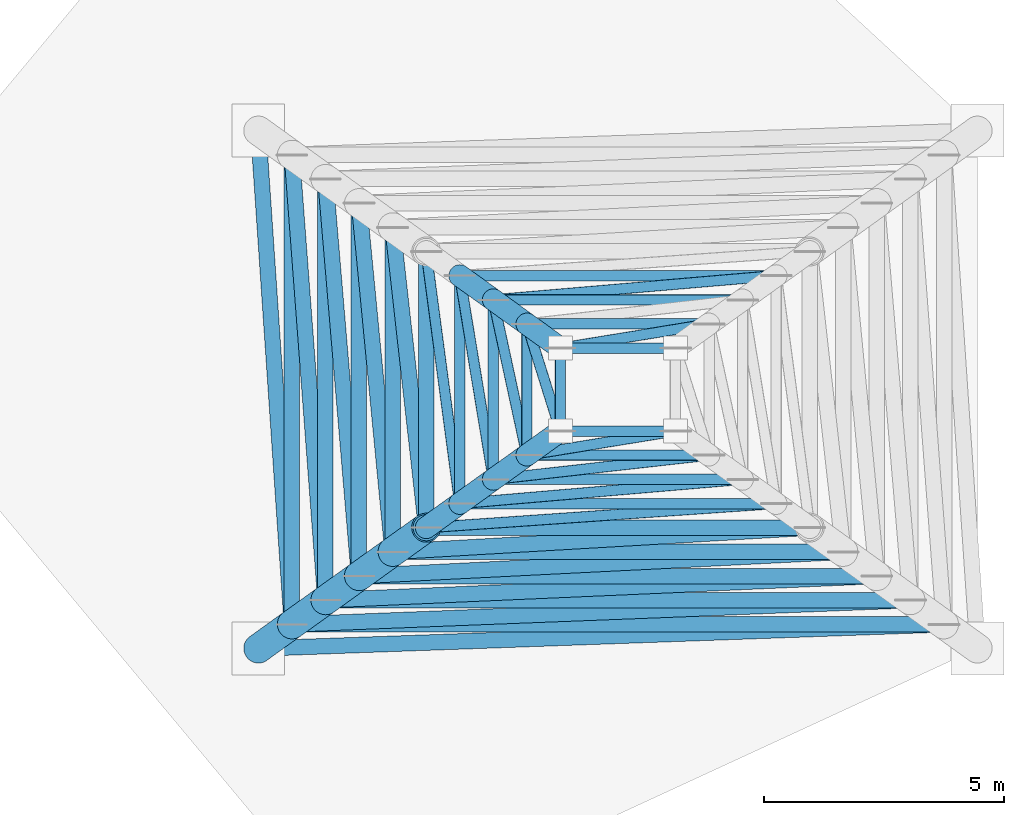
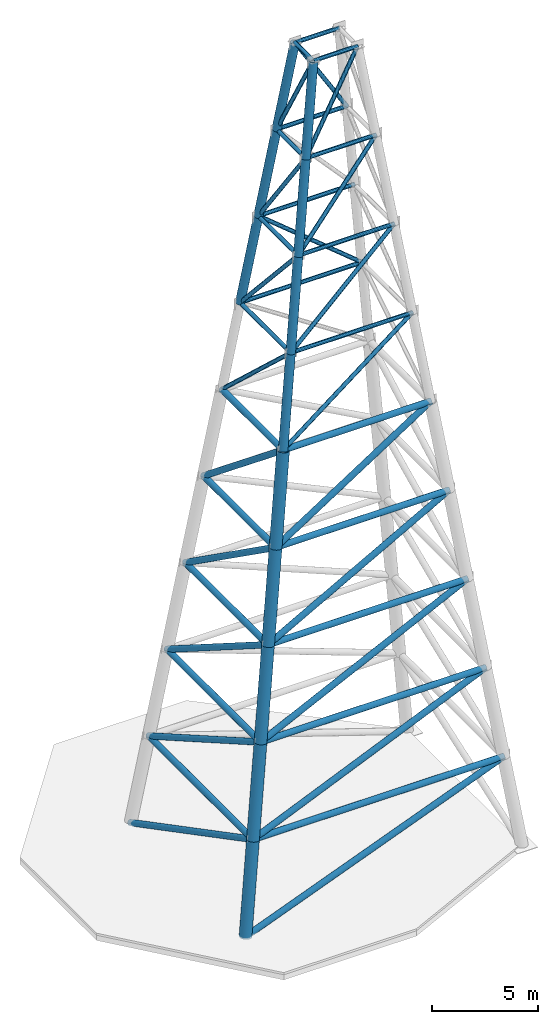
# One storey, part 1 of 3: 54 members.
"""IFC4 building model written with IfcOpenShell, lengths in metres."""

from ifc_helpers import new_model, si_unit, derived_unit, direction, frame, origin, origin_2d, place, context, subcontext, project, spatial, hollow_circle, extrude, source, transform, mapped, material, material_profile, profile_set, type_object, type_shapes, element, save


model = new_model("IFC4")

# Units and contexts
model_context = context("Model", 3, precision=1e-05, world=origin(), true_north=direction((0.0, 1.0)))
body_context = subcontext(model_context, "Body", "Model", "MODEL_VIEW")
ifc_project = project(units=[si_unit("LENGTHUNIT", "METRE"), si_unit("AREAUNIT", "SQUARE_METRE"), si_unit("VOLUMEUNIT", "CUBIC_METRE"), si_unit("PLANEANGLEUNIT", "RADIAN"), si_unit("MASSUNIT", "GRAM", prefix="KILO"), si_unit("THERMODYNAMICTEMPERATUREUNIT", "KELVIN"), si_unit("POWERUNIT", "WATT"), derived_unit("THERMALTRANSMITTANCEUNIT", [(si_unit("POWERUNIT", "WATT"), 1), (si_unit("AREAUNIT", "SQUARE_METRE"), -1), (si_unit("THERMODYNAMICTEMPERATUREUNIT", "KELVIN"), -1)])], contexts=[model_context])

# Site, building, storey
site_placement = place(None, origin())
site = spatial("IfcSite", under=ifc_project, at=site_placement, CompositionType="ELEMENT")
building_placement = place(site_placement, origin())
building = spatial("IfcBuilding", under=site, at=building_placement, Name="Zahravan Archway Hotel and Residences", CompositionType="ELEMENT")
storey_placement = place(building_placement, frame((0.0, 0.0, 308.699951171875)))
storey = spatial("IfcBuildingStorey", under=building, at=storey_placement, Name="RF", CompositionType="ELEMENT", Elevation=308.699951171875)

# Members
ifc_material_1 = material(Name="Structural Steel S460M", Category="steel")
ifc_material_profile_1 = material_profile(ifc_material_1, hollow_circle(Radius=0.304931640625, WallThickness=0.030029296875, at=origin_2d()), Name="CHS 610x30", Category="steel")
ifc_profile_set_1 = profile_set([ifc_material_profile_1], Name="Structural Steel S460M")
member_type_1 = type_object("IfcMemberType", Name="MEM-MAST-LEG610", PredefinedType="CHORD", material=ifc_profile_set_1)
shared_shape_1 = source(origin(), body_context, "Body", "SweptSolid", [
    extrude(hollow_circle(Radius=0.304931640625, WallThickness=0.030029296875, at=origin_2d()), origin(), (0.0, 0.0, 1.0), 5.106689453125),
])
type_shapes(member_type_1, [shared_shape_1])
for number, where, z_axis, x_axis, name in (
    (1, (34.800048828125, 3.60009765625, 0.0), (0.137062477103, 0.09867350985, 0.985635539043), (-0.584259982328, 0.811566554911, 0.0), "MAST Corner Leg Tier 1-1"),
    (2, (36.89990234375, 5.112060546875, 15.10009765625), (0.137115846307, 0.098677512823, 0.985627715293), (-0.584125782237, 0.811663150899, 0.0), "MAST Corner Leg Tier 4-1"),
):
    element("IfcMember", number, at=place(storey_placement, frame(where, z_axis=z_axis, x_axis=x_axis)), inside=storey, type_object=member_type_1, Name=name, PredefinedType="CHORD", context=body_context, shape_type="MappedRepresentation", body=[
        mapped(shared_shape_1, transform((0.0, 0.0, 0.0), scale=1.0)),
    ])
ifc_material_profile_2 = material_profile(ifc_material_1, hollow_circle(Radius=0.161865234375, WallThickness=0.01611328125, at=origin_2d()), Name="CHS 323.9x16", Category="steel")
ifc_profile_set_2 = profile_set([ifc_material_profile_2], Name="Structural Steel S460M")
member_type_2 = type_object("IfcMemberType", Name="MEM-MAST-BRC323", PredefinedType="BRACE", material=ifc_profile_set_2)
shared_shape_2 = source(origin(), body_context, "Body", "SweptSolid", [
    extrude(hollow_circle(Radius=0.161865234375, WallThickness=0.01611328125, at=origin_2d()), origin(), (0.0, 0.0, 1.0), 13.60009765625),
])
type_shapes(member_type_2, [shared_shape_2])
member_1_placement = place(storey_placement, frame((35.5, 4.10400390625, 5.033447265625), z_axis=(1.0, 0.0, 0.0), x_axis=(0.0, 1.0, 0.0)))
element("IfcMember", 3, at=member_1_placement, inside=storey, type_object=member_type_2, Name="MAST Horizontal Girt Tier 1-1", PredefinedType="BRACE", context=body_context, shape_type="MappedRepresentation", body=[
    mapped(shared_shape_2, transform((0.0, 0.0, 0.0), scale=1.0)),
])
shared_shape_3 = source(origin(), body_context, "Body", "SweptSolid", [
    extrude(hollow_circle(Radius=0.161865234375, WallThickness=0.01611328125, at=origin_2d()), origin(), (0.0, 0.0, 1.0), 15.16845703125),
])
member_2_placement = place(storey_placement, frame((34.800048828125, 3.60009765625, 0.0), z_axis=(0.942751490667, 0.033220751485, 0.331837322368), x_axis=(-0.035216221379, 0.9993797165, 0.0)))
element("IfcMember", 4, at=member_2_placement, inside=storey, type_object=member_type_2, Name="MAST Lattice Diagonal Tier 1-1", PredefinedType="BRACE", context=body_context, shape_type="MappedRepresentation", body=[
    mapped(shared_shape_3, transform((0.0, 0.0, 0.0), scale=1.0)),
])
shared_shape_4 = source(origin(), body_context, "Body", "SweptSolid", [
    extrude(hollow_circle(Radius=0.161865234375, WallThickness=0.01611328125, at=origin_2d()), origin(), (0.0, 0.0, 1.0), 9.7919921875),
])
member_3_placement = place(storey_placement, frame((35.5, 13.89599609375, 5.033447265625), z_axis=(0.0, -1.0, 0.0), x_axis=(1.0, 0.0, 0.0)))
element("IfcMember", 5, at=member_3_placement, inside=storey, type_object=member_type_2, Name="MAST Horizontal Girt Tier 1-4", PredefinedType="BRACE", context=body_context, shape_type="MappedRepresentation", body=[
    mapped(shared_shape_4, transform((0.0, 0.0, 0.0), scale=1.0)),
])
shared_shape_5 = source(origin(), body_context, "Body", "SweptSolid", [
    extrude(hollow_circle(Radius=0.161865234375, WallThickness=0.01611328125, at=origin_2d()), origin(), (0.0, 0.0, 1.0), 11.481689453125),
])
member_4_placement = place(storey_placement, frame((34.800048828125, 14.39990234375, 0.0), z_axis=(0.060961956018, -0.896716989602, 0.438385994846), x_axis=(0.997697101633, 0.067826937076, 0.0)))
element("IfcMember", 6, at=member_4_placement, inside=storey, type_object=member_type_2, Name="MAST Lattice Diagonal Tier 1-4", PredefinedType="BRACE", context=body_context, shape_type="MappedRepresentation", body=[
    mapped(shared_shape_5, transform((0.0, 0.0, 0.0), scale=1.0)),
])
shared_shape_6 = source(origin(), body_context, "Body", "SweptSolid", [
    extrude(hollow_circle(Radius=0.304931640625, WallThickness=0.030029296875, at=origin_2d()), origin(), (0.0, 0.0, 1.0), 5.1064453125),
])
member_5_placement = place(storey_placement, frame((35.5, 4.10400390625, 5.033447265625), z_axis=(0.137068935816, 0.098678159583, 0.985634175369), x_axis=(-0.584259982328, 0.811566554911, 0.0)))
element("IfcMember", 7, at=member_5_placement, inside=storey, type_object=member_type_1, Name="MAST Corner Leg Tier 2-1", PredefinedType="CHORD", context=body_context, shape_type="MappedRepresentation", body=[
    mapped(shared_shape_6, transform((0.0, 0.0, 0.0), scale=1.0)),
])
shared_shape_7 = source(origin(), body_context, "Body", "SweptSolid", [
    extrude(hollow_circle(Radius=0.161865234375, WallThickness=0.01611328125, at=origin_2d()), origin(), (0.0, 0.0, 1.0), 12.199951171875),
])
member_6_placement = place(storey_placement, frame((36.199951171875, 4.60791015625, 10.066650390625), z_axis=(1.0, 0.0, 0.0), x_axis=(0.0, 1.0, 0.0)))
element("IfcMember", 8, at=member_6_placement, inside=storey, type_object=member_type_2, Name="MAST Horizontal Girt Tier 2-1", PredefinedType="BRACE", context=body_context, shape_type="MappedRepresentation", body=[
    mapped(shared_shape_7, transform((0.0, 0.0, 0.0), scale=1.0)),
])
shared_shape_8 = source(origin(), body_context, "Body", "SweptSolid", [
    extrude(hollow_circle(Radius=0.161865234375, WallThickness=0.01611328125, at=origin_2d()), origin(), (0.0, 0.0, 1.0), 13.856201171875),
])
member_7_placement = place(storey_placement, frame((35.5, 4.10400390625, 5.033447265625), z_axis=(0.930983509314, 0.036366818639, 0.363245316401), x_axis=(-0.03903302678, 0.999237921028, 0.0)))
element("IfcMember", 9, at=member_7_placement, inside=storey, type_object=member_type_2, Name="MAST Lattice Diagonal Tier 2-1", PredefinedType="BRACE", context=body_context, shape_type="MappedRepresentation", body=[
    mapped(shared_shape_8, transform((0.0, 0.0, 0.0), scale=1.0)),
])
shared_shape_9 = source(origin(), body_context, "Body", "SweptSolid", [
    extrude(hollow_circle(Radius=0.161865234375, WallThickness=0.01611328125, at=origin_2d()), origin(), (0.0, 0.0, 1.0), 8.7841796875),
])
member_8_placement = place(storey_placement, frame((36.199951171875, 13.39208984375, 10.066650390625), z_axis=(0.0, -1.0, 0.0), x_axis=(1.0, 0.0, 0.0)))
element("IfcMember", 10, at=member_8_placement, inside=storey, type_object=member_type_2, Name="MAST Horizontal Girt Tier 2-4", PredefinedType="BRACE", context=body_context, shape_type="MappedRepresentation", body=[
    mapped(shared_shape_9, transform((0.0, 0.0, 0.0), scale=1.0)),
])
shared_shape_10 = source(origin(), body_context, "Body", "SweptSolid", [
    extrude(hollow_circle(Radius=0.161865234375, WallThickness=0.01611328125, at=origin_2d()), origin(), (0.0, 0.0, 1.0), 10.58740234375),
])
member_9_placement = place(storey_placement, frame((35.5, 13.89599609375, 5.033447265625), z_axis=(0.066112137648, -0.877282931518, 0.475398615187), x_axis=(0.997172464765, 0.075147025983, 0.0)))
element("IfcMember", 11, at=member_9_placement, inside=storey, type_object=member_type_2, Name="MAST Lattice Diagonal Tier 2-4", PredefinedType="BRACE", context=body_context, shape_type="MappedRepresentation", body=[
    mapped(shared_shape_10, transform((0.0, 0.0, 0.0), scale=1.0)),
])
shared_shape_11 = source(origin(), body_context, "Body", "SweptSolid", [
    extrude(hollow_circle(Radius=0.304931640625, WallThickness=0.030029296875, at=origin_2d()), origin(), (0.0, 0.0, 1.0), 5.10693359375),
])
for number, where, z_axis, x_axis, name in (
    (12, (36.199951171875, 4.60791015625, 10.066650390625), (0.137061830389, 0.098720850978, 0.985630888433), (-0.584446378501, 0.811432332766, 0.0), "MAST Corner Leg Tier 3-1"),
    (13, (37.60009765625, 5.615966796875, 20.13330078125), (0.137061830389, 0.098720850978, 0.985630888433), (-0.584446378501, 0.811432332766, 0.0), "MAST Corner Leg Tier 5-1"),
):
    element("IfcMember", number, at=place(storey_placement, frame(where, z_axis=z_axis, x_axis=x_axis)), inside=storey, type_object=member_type_1, Name=name, PredefinedType="CHORD", context=body_context, shape_type="MappedRepresentation", body=[
        mapped(shared_shape_11, transform((0.0, 0.0, 0.0), scale=1.0)),
    ])
shared_shape_12 = source(origin(), body_context, "Body", "SweptSolid", [
    extrude(hollow_circle(Radius=0.161865234375, WallThickness=0.01611328125, at=origin_2d()), origin(), (0.0, 0.0, 1.0), 10.800048828125),
])
member_10_placement = place(storey_placement, frame((36.89990234375, 5.112060546875, 15.10009765625), z_axis=(1.0, 0.0, 0.0), x_axis=(0.0, 1.0, 0.0)))
element("IfcMember", 14, at=member_10_placement, inside=storey, type_object=member_type_2, Name="MAST Horizontal Girt Tier 3-1", PredefinedType="BRACE", context=body_context, shape_type="MappedRepresentation", body=[
    mapped(shared_shape_12, transform((0.0, 0.0, 0.0), scale=1.0)),
])
shared_shape_13 = source(origin(), body_context, "Body", "SweptSolid", [
    extrude(hollow_circle(Radius=0.161865234375, WallThickness=0.01611328125, at=origin_2d()), origin(), (0.0, 0.0, 1.0), 12.5634765625),
])
member_11_placement = place(storey_placement, frame((36.199951171875, 4.60791015625, 10.066650390625), z_axis=(0.915355163645, 0.040128405505, 0.400642777872), x_axis=(-0.043797098388, 0.999040446715, 0.0)))
element("IfcMember", 15, at=member_11_placement, inside=storey, type_object=member_type_2, Name="MAST Lattice Diagonal Tier 3-1", PredefinedType="BRACE", context=body_context, shape_type="MappedRepresentation", body=[
    mapped(shared_shape_13, transform((0.0, 0.0, 0.0), scale=1.0)),
])
shared_shape_14 = source(origin(), body_context, "Body", "SweptSolid", [
    extrude(hollow_circle(Radius=0.161865234375, WallThickness=0.01611328125, at=origin_2d()), origin(), (0.0, 0.0, 1.0), 7.77587890625),
])
member_12_placement = place(storey_placement, frame((36.89990234375, 12.887939453125, 15.10009765625), z_axis=(0.0, -1.0, 0.0), x_axis=(1.0, 0.0, 0.0)))
element("IfcMember", 16, at=member_12_placement, inside=storey, type_object=member_type_2, Name="MAST Horizontal Girt Tier 3-4", PredefinedType="BRACE", context=body_context, shape_type="MappedRepresentation", body=[
    mapped(shared_shape_14, transform((0.0, 0.0, 0.0), scale=1.0)),
])
shared_shape_15 = source(origin(), body_context, "Body", "SweptSolid", [
    extrude(hollow_circle(Radius=0.161865234375, WallThickness=0.01611328125, at=origin_2d()), origin(), (0.0, 0.0, 1.0), 9.715087890625),
])
member_13_placement = place(storey_placement, frame((36.199951171875, 13.39208984375, 10.066650390625), z_axis=(0.072047284469, -0.852278916211, 0.518102149949), x_axis=(0.996445965096, 0.084234426712, 0.0)))
element("IfcMember", 17, at=member_13_placement, inside=storey, type_object=member_type_2, Name="MAST Lattice Diagonal Tier 3-4", PredefinedType="BRACE", context=body_context, shape_type="MappedRepresentation", body=[
    mapped(shared_shape_15, transform((0.0, 0.0, 0.0), scale=1.0)),
])
shared_shape_16 = source(origin(), body_context, "Body", "SweptSolid", [
    extrude(hollow_circle(Radius=0.161865234375, WallThickness=0.01611328125, at=origin_2d()), origin(), (0.0, 0.0, 1.0), 9.39990234375),
])
member_14_placement = place(storey_placement, frame((37.60009765625, 5.615966796875, 20.13330078125), z_axis=(1.0, 0.0, 0.0), x_axis=(0.0, 1.0, 0.0)))
element("IfcMember", 18, at=member_14_placement, inside=storey, type_object=member_type_2, Name="MAST Horizontal Girt Tier 4-1", PredefinedType="BRACE", context=body_context, shape_type="MappedRepresentation", body=[
    mapped(shared_shape_16, transform((0.0, 0.0, 0.0), scale=1.0)),
])
shared_shape_17 = source(origin(), body_context, "Body", "SweptSolid", [
    extrude(hollow_circle(Radius=0.161865234375, WallThickness=0.01611328125, at=origin_2d()), origin(), (0.0, 0.0, 1.0), 11.2958984375),
])
member_15_placement = place(storey_placement, frame((36.89990234375, 5.112060546875, 15.10009765625), z_axis=(0.894132518843, 0.044609367147, 0.445574957903), x_axis=(-0.049829248222, 0.99875775142, 0.0)))
element("IfcMember", 19, at=member_15_placement, inside=storey, type_object=member_type_2, Name="MAST Lattice Diagonal Tier 4-1", PredefinedType="BRACE", context=body_context, shape_type="MappedRepresentation", body=[
    mapped(shared_shape_17, transform((0.0, 0.0, 0.0), scale=1.0)),
])
shared_shape_18 = source(origin(), body_context, "Body", "SweptSolid", [
    extrude(hollow_circle(Radius=0.161865234375, WallThickness=0.01611328125, at=origin_2d()), origin(), (0.0, 0.0, 1.0), 6.76806640625),
])
member_16_placement = place(storey_placement, frame((37.60009765625, 12.384033203125, 20.13330078125), z_axis=(0.0, -1.0, 0.0), x_axis=(1.0, 0.0, 0.0)))
element("IfcMember", 20, at=member_16_placement, inside=storey, type_object=member_type_2, Name="MAST Horizontal Girt Tier 4-4", PredefinedType="BRACE", context=body_context, shape_type="MappedRepresentation", body=[
    mapped(shared_shape_18, transform((0.0, 0.0, 0.0), scale=1.0)),
])
shared_shape_19 = source(origin(), body_context, "Body", "SweptSolid", [
    extrude(hollow_circle(Radius=0.161865234375, WallThickness=0.01611328125, at=origin_2d()), origin(), (0.0, 0.0, 1.0), 8.87158203125),
])
member_17_placement = place(storey_placement, frame((36.89990234375, 12.887939453125, 15.10009765625), z_axis=(0.078925629667, -0.819692749397, 0.567339881876), x_axis=(0.995396407481, 0.095843580765, 0.0)))
element("IfcMember", 21, at=member_17_placement, inside=storey, type_object=member_type_2, Name="MAST Lattice Diagonal Tier 4-4", PredefinedType="BRACE", context=body_context, shape_type="MappedRepresentation", body=[
    mapped(shared_shape_19, transform((0.0, 0.0, 0.0), scale=1.0)),
])
shared_shape_20 = source(origin(), body_context, "Body", "SweptSolid", [
    extrude(hollow_circle(Radius=0.161865234375, WallThickness=0.01611328125, at=origin_2d()), origin(), (0.0, 0.0, 1.0), 8.0),
])
member_18_placement = place(storey_placement, frame((38.300048828125, 6.1201171875, 25.166748046875), z_axis=(1.0, 0.0, 0.0), x_axis=(0.0, 1.0, 0.0)))
element("IfcMember", 22, at=member_18_placement, inside=storey, type_object=member_type_2, Name="MAST Horizontal Girt Tier 5-1", PredefinedType="BRACE", context=body_context, shape_type="MappedRepresentation", body=[
    mapped(shared_shape_20, transform((0.0, 0.0, 0.0), scale=1.0)),
])
shared_shape_21 = source(origin(), body_context, "Body", "SweptSolid", [
    extrude(hollow_circle(Radius=0.161865234375, WallThickness=0.01611328125, at=origin_2d()), origin(), (0.0, 0.0, 1.0), 10.063720703125),
])
member_19_placement = place(storey_placement, frame((37.60009765625, 5.615966796875, 20.13330078125), z_axis=(0.864484691624, 0.050095717362, 0.500156612522), x_axis=(-0.057851593259, 0.998325194091, 0.0)))
element("IfcMember", 23, at=member_19_placement, inside=storey, type_object=member_type_2, Name="MAST Lattice Diagonal Tier 5-1", PredefinedType="BRACE", context=body_context, shape_type="MappedRepresentation", body=[
    mapped(shared_shape_21, transform((0.0, 0.0, 0.0), scale=1.0)),
])
shared_shape_22 = source(origin(), body_context, "Body", "SweptSolid", [
    extrude(hollow_circle(Radius=0.161865234375, WallThickness=0.01611328125, at=origin_2d()), origin(), (0.0, 0.0, 1.0), 5.759765625),
])
member_20_placement = place(storey_placement, frame((38.300048828125, 11.8798828125, 25.166748046875), z_axis=(0.0, -1.0, 0.0), x_axis=(1.0, 0.0, 0.0)))
element("IfcMember", 24, at=member_20_placement, inside=storey, type_object=member_type_2, Name="MAST Horizontal Girt Tier 5-4", PredefinedType="BRACE", context=body_context, shape_type="MappedRepresentation", body=[
    mapped(shared_shape_22, transform((0.0, 0.0, 0.0), scale=1.0)),
])
shared_shape_23 = source(origin(), body_context, "Body", "SweptSolid", [
    extrude(hollow_circle(Radius=0.161865234375, WallThickness=0.01611328125, at=origin_2d()), origin(), (0.0, 0.0, 1.0), 8.066162109375),
])
member_21_placement = place(storey_placement, frame((37.60009765625, 12.384033203125, 20.13330078125), z_axis=(0.086776770514, -0.776571887367, 0.624023954548), x_axis=(0.993814574306, 0.111052203474, 0.0)))
element("IfcMember", 25, at=member_21_placement, inside=storey, type_object=member_type_2, Name="MAST Lattice Diagonal Tier 5-4", PredefinedType="BRACE", context=body_context, shape_type="MappedRepresentation", body=[
    mapped(shared_shape_23, transform((0.0, 0.0, 0.0), scale=1.0)),
])
ifc_material_profile_3 = material_profile(ifc_material_1, hollow_circle(Radius=0.228515625, WallThickness=0.02001953125, at=origin_2d()), Name="CHS 457x20", Category="steel")
ifc_profile_set_3 = profile_set([ifc_material_profile_3], Name="Structural Steel S460M")
member_type_3 = type_object("IfcMemberType", Name="MEM-MAST-LEG457", PredefinedType="CHORD", material=ifc_profile_set_3)
shared_shape_24 = source(origin(), body_context, "Body", "SweptSolid", [
    extrude(hollow_circle(Radius=0.228515625, WallThickness=0.02001953125, at=origin_2d()), origin(), (0.0, 0.0, 1.0), 5.1064453125),
])
type_shapes(member_type_3, [shared_shape_24])
member_22_placement = place(storey_placement, frame((38.300048828125, 6.1201171875, 25.166748046875), z_axis=(0.137068935816, 0.098678159583, 0.985634175369), x_axis=(-0.584259982328, 0.811566554911, 0.0)))
element("IfcMember", 26, at=member_22_placement, inside=storey, type_object=member_type_3, Name="MAST Corner Leg Tier 6-1", PredefinedType="CHORD", context=body_context, shape_type="MappedRepresentation", body=[
    mapped(shared_shape_24, transform((0.0, 0.0, 0.0), scale=1.0)),
])
ifc_material_2 = material(Name="Structural Steel S355J2", Category="steel")
ifc_material_profile_4 = material_profile(ifc_material_2, hollow_circle(Radius=0.109619140625, WallThickness=0.012451171875, at=origin_2d()), Name="CHS 219.1x12.5", Category="steel")
ifc_profile_set_4 = profile_set([ifc_material_profile_4], Name="Structural Steel S355J2")
member_type_4 = type_object("IfcMemberType", Name="MEM-MAST-BRC219", PredefinedType="BRACE", material=ifc_profile_set_4)
shared_shape_25 = source(origin(), body_context, "Body", "SweptSolid", [
    extrude(hollow_circle(Radius=0.109619140625, WallThickness=0.012451171875, at=origin_2d()), origin(), (0.0, 0.0, 1.0), 6.60009765625),
])
type_shapes(member_type_4, [shared_shape_25])
for number, where, z_axis, x_axis, name in (
    (27, (39.0, 6.6240234375, 30.199951171875), (1.0, 0.0, 0.0), (0.0, 1.0, 0.0), "MAST Horizontal Girt Tier 6-1"),
    (28, (45.60009765625, 11.3759765625, 30.199951171875), (-1.0, 0.0, 0.0), (0.0, -1.0, 0.0), "MAST Horizontal Girt Tier 6-3"),
):
    element("IfcMember", number, at=place(storey_placement, frame(where, z_axis=z_axis, x_axis=x_axis)), inside=storey, type_object=member_type_4, Name=name, PredefinedType="BRACE", context=body_context, shape_type="MappedRepresentation", body=[
        mapped(shared_shape_25, transform((0.0, 0.0, 0.0), scale=1.0)),
    ])
shared_shape_26 = source(origin(), body_context, "Body", "SweptSolid", [
    extrude(hollow_circle(Radius=0.109619140625, WallThickness=0.012451171875, at=origin_2d()), origin(), (0.0, 0.0, 1.0), 8.88134765625),
])
member_23_placement = place(storey_placement, frame((38.300048828125, 6.1201171875, 25.166748046875), z_axis=(0.821955788553, 0.056737792969, 0.566718187914), x_axis=(-0.068863924028, 0.997626062193, 0.0)))
element("IfcMember", 29, at=member_23_placement, inside=storey, type_object=member_type_4, Name="MAST Lattice Diagonal Tier 6-1", PredefinedType="BRACE", context=body_context, shape_type="MappedRepresentation", body=[
    mapped(shared_shape_26, transform((0.0, 0.0, 0.0), scale=1.0)),
])
shared_shape_27 = source(origin(), body_context, "Body", "SweptSolid", [
    extrude(hollow_circle(Radius=0.109619140625, WallThickness=0.012451171875, at=origin_2d()), origin(), (0.0, 0.0, 1.0), 4.751953125),
])
member_24_placement = place(storey_placement, frame((39.0, 11.3759765625, 30.199951171875), z_axis=(0.0, -1.0, 0.0), x_axis=(1.0, 0.0, 0.0)))
element("IfcMember", 30, at=member_24_placement, inside=storey, type_object=member_type_4, Name="MAST Horizontal Girt Tier 6-4", PredefinedType="BRACE", context=body_context, shape_type="MappedRepresentation", body=[
    mapped(shared_shape_27, transform((0.0, 0.0, 0.0), scale=1.0)),
])
shared_shape_28 = source(origin(), body_context, "Body", "SweptSolid", [
    extrude(hollow_circle(Radius=0.109619140625, WallThickness=0.012451171875, at=origin_2d()), origin(), (0.0, 0.0, 1.0), 7.310791015625),
])
member_25_placement = place(storey_placement, frame((38.300048828125, 11.8798828125, 25.166748046875), z_axis=(0.095742679622, -0.718921662681, 0.688465672512), x_axis=(0.991248397702, 0.132009901348, 0.0)))
element("IfcMember", 31, at=member_25_placement, inside=storey, type_object=member_type_4, Name="MAST Lattice Diagonal Tier 6-4", PredefinedType="BRACE", context=body_context, shape_type="MappedRepresentation", body=[
    mapped(shared_shape_28, transform((0.0, 0.0, 0.0), scale=1.0)),
])
shared_shape_29 = source(origin(), body_context, "Body", "SweptSolid", [
    extrude(hollow_circle(Radius=0.228515625, WallThickness=0.02001953125, at=origin_2d()), origin(), (0.0, 0.0, 1.0), 5.106689453125),
])
for number, where, z_axis, x_axis, name in (
    (32, (39.0, 6.6240234375, 30.199951171875), (0.137062477103, 0.09867350985, 0.985635539043), (-0.584259982328, 0.811566554911, 0.0), "MAST Corner Leg Tier 7-1"),
    (33, (39.0, 11.3759765625, 30.199951171875), (0.137062477103, -0.09867350985, 0.985635539043), (0.584259982328, 0.811566554911, 0.0), "MAST Corner Leg Tier 7-4"),
    (34, (40.39990234375, 7.632080078125, 40.266845703125), (0.137115846307, 0.098677512823, 0.985627715293), (-0.584125782237, 0.811663150899, 0.0), "MAST Corner Leg Tier 9-1"),
    (35, (40.39990234375, 10.367919921875, 40.266845703125), (0.137115846307, -0.098677512823, 0.985627715293), (0.584125782237, 0.811663150899, 0.0), "MAST Corner Leg Tier 9-4"),
):
    element("IfcMember", number, at=place(storey_placement, frame(where, z_axis=z_axis, x_axis=x_axis)), inside=storey, type_object=member_type_3, Name=name, PredefinedType="CHORD", context=body_context, shape_type="MappedRepresentation", body=[
        mapped(shared_shape_29, transform((0.0, 0.0, 0.0), scale=1.0)),
    ])
shared_shape_30 = source(origin(), body_context, "Body", "SweptSolid", [
    extrude(hollow_circle(Radius=0.109619140625, WallThickness=0.012451171875, at=origin_2d()), origin(), (0.0, 0.0, 1.0), 5.199951171875),
])
for number, where, z_axis, x_axis, name in (
    (36, (39.699951171875, 7.1279296875, 35.2333984375), (1.0, 0.0, 0.0), (0.0, 1.0, 0.0), "MAST Horizontal Girt Tier 7-1"),
    (37, (44.89990234375, 10.8720703125, 35.2333984375), (-1.0, 0.0, 0.0), (0.0, -1.0, 0.0), "MAST Horizontal Girt Tier 7-3"),
):
    element("IfcMember", number, at=place(storey_placement, frame(where, z_axis=z_axis, x_axis=x_axis)), inside=storey, type_object=member_type_4, Name=name, PredefinedType="BRACE", context=body_context, shape_type="MappedRepresentation", body=[
        mapped(shared_shape_30, transform((0.0, 0.0, 0.0), scale=1.0)),
    ])
shared_shape_31 = source(origin(), body_context, "Body", "SweptSolid", [
    extrude(hollow_circle(Radius=0.109619140625, WallThickness=0.012451171875, at=origin_2d()), origin(), (0.0, 0.0, 1.0), 7.771728515625),
])
for number, where, z_axis, x_axis, name in (
    (38, (39.0, 6.6240234375, 30.199951171875), (0.759158131176, 0.064839128641, 0.647668757364), (-0.085099427548, 0.996372464208, 0.0), "MAST Lattice Diagonal Tier 7-1"),
    (39, (45.60009765625, 11.3759765625, 30.199951171875), (-0.75917144028, -0.064837582354, 0.647653311717), (0.08509593174, -0.996372762776, 0.0), "MAST Lattice Diagonal Tier 7-3"),
):
    element("IfcMember", number, at=place(storey_placement, frame(where, z_axis=z_axis, x_axis=x_axis)), inside=storey, type_object=member_type_4, Name=name, PredefinedType="BRACE", context=body_context, shape_type="MappedRepresentation", body=[
        mapped(shared_shape_31, transform((0.0, 0.0, 0.0), scale=1.0)),
    ])
shared_shape_32 = source(origin(), body_context, "Body", "SweptSolid", [
    extrude(hollow_circle(Radius=0.228515625, WallThickness=0.02001953125, at=origin_2d()), origin(), (0.0, 0.0, 1.0), 5.10693359375),
])
for number, where, z_axis, x_axis, name in (
    (40, (39.699951171875, 7.1279296875, 35.2333984375), (0.137061830389, 0.098720850978, 0.985630888433), (-0.584446378501, 0.811432332766, 0.0), "MAST Corner Leg Tier 8-1"),
    (41, (39.699951171875, 10.8720703125, 35.2333984375), (0.137061830389, -0.098720850978, 0.985630888433), (0.584446378501, 0.811432332766, 0.0), "MAST Corner Leg Tier 8-4"),
):
    element("IfcMember", number, at=place(storey_placement, frame(where, z_axis=z_axis, x_axis=x_axis)), inside=storey, type_object=member_type_3, Name=name, PredefinedType="CHORD", context=body_context, shape_type="MappedRepresentation", body=[
        mapped(shared_shape_32, transform((0.0, 0.0, 0.0), scale=1.0)),
    ])
shared_shape_33 = source(origin(), body_context, "Body", "SweptSolid", [
    extrude(hollow_circle(Radius=0.109619140625, WallThickness=0.012451171875, at=origin_2d()), origin(), (0.0, 0.0, 1.0), 3.744140625),
])
member_26_placement = place(storey_placement, frame((39.699951171875, 10.8720703125, 35.2333984375), z_axis=(0.0, -1.0, 0.0), x_axis=(1.0, 0.0, 0.0)))
element("IfcMember", 42, at=member_26_placement, inside=storey, type_object=member_type_4, Name="MAST Horizontal Girt Tier 7-4", PredefinedType="BRACE", context=body_context, shape_type="MappedRepresentation", body=[
    mapped(shared_shape_33, transform((0.0, 0.0, 0.0), scale=1.0)),
])
shared_shape_34 = source(origin(), body_context, "Body", "SweptSolid", [
    extrude(hollow_circle(Radius=0.109619140625, WallThickness=0.012451171875, at=origin_2d()), origin(), (0.0, 0.0, 1.0), 6.62353515625),
])
member_27_placement = place(storey_placement, frame((39.0, 11.3759765625, 30.199951171875), z_axis=(0.105676123343, -0.641354916697, 0.75993185733), x_axis=(0.986695700619, 0.162577964004, 0.0)))
element("IfcMember", 43, at=member_27_placement, inside=storey, type_object=member_type_4, Name="MAST Lattice Diagonal Tier 7-4", PredefinedType="BRACE", context=body_context, shape_type="MappedRepresentation", body=[
    mapped(shared_shape_34, transform((0.0, 0.0, 0.0), scale=1.0)),
])
shared_shape_35 = source(origin(), body_context, "Body", "SweptSolid", [
    extrude(hollow_circle(Radius=0.109619140625, WallThickness=0.012451171875, at=origin_2d()), origin(), (0.0, 0.0, 1.0), 3.800048828125),
])
for number, where, z_axis, x_axis, name in (
    (44, (40.39990234375, 7.632080078125, 40.266845703125), (1.0, 0.0, 0.0), (0.0, 1.0, 0.0), "MAST Horizontal Girt Tier 8-1"),
    (45, (44.199951171875, 10.367919921875, 40.266845703125), (-1.0, 0.0, 0.0), (0.0, -1.0, 0.0), "MAST Horizontal Girt Tier 8-3"),
):
    element("IfcMember", number, at=place(storey_placement, frame(where, z_axis=z_axis, x_axis=x_axis)), inside=storey, type_object=member_type_4, Name=name, PredefinedType="BRACE", context=body_context, shape_type="MappedRepresentation", body=[
        mapped(shared_shape_35, transform((0.0, 0.0, 0.0), scale=1.0)),
    ])
shared_shape_36 = source(origin(), body_context, "Body", "SweptSolid", [
    extrude(hollow_circle(Radius=0.109619140625, WallThickness=0.012451171875, at=origin_2d()), origin(), (0.0, 0.0, 1.0), 6.7705078125),
])
member_28_placement = place(storey_placement, frame((39.699951171875, 7.1279296875, 35.2333984375), z_axis=(0.664647462399, 0.074462728399, 0.743437322715), x_axis=(-0.111336877289, 0.993782722609, 0.0)))
element("IfcMember", 46, at=member_28_placement, inside=storey, type_object=member_type_4, Name="MAST Lattice Diagonal Tier 8-1", PredefinedType="BRACE", context=body_context, shape_type="MappedRepresentation", body=[
    mapped(shared_shape_36, transform((0.0, 0.0, 0.0), scale=1.0)),
])
shared_shape_37 = source(origin(), body_context, "Body", "SweptSolid", [
    extrude(hollow_circle(Radius=0.109619140625, WallThickness=0.012451171875, at=origin_2d()), origin(), (0.0, 0.0, 1.0), 2.73583984375),
])
member_29_placement = place(storey_placement, frame((40.39990234375, 10.367919921875, 40.266845703125), z_axis=(0.0, -1.0, 0.0), x_axis=(1.0, 0.0, 0.0)))
element("IfcMember", 47, at=member_29_placement, inside=storey, type_object=member_type_4, Name="MAST Horizontal Girt Tier 8-4", PredefinedType="BRACE", context=body_context, shape_type="MappedRepresentation", body=[
    mapped(shared_shape_37, transform((0.0, 0.0, 0.0), scale=1.0)),
])
shared_shape_38 = source(origin(), body_context, "Body", "SweptSolid", [
    extrude(hollow_circle(Radius=0.109619140625, WallThickness=0.012451171875, at=origin_2d()), origin(), (0.0, 0.0, 1.0), 6.02685546875),
])
member_30_placement = place(storey_placement, frame((39.699951171875, 10.8720703125, 35.2333984375), z_axis=(0.116138585559, -0.537591618053, 0.835168893783), x_axis=(0.977450746062, 0.211163536204, 0.0)))
element("IfcMember", 48, at=member_30_placement, inside=storey, type_object=member_type_4, Name="MAST Lattice Diagonal Tier 8-4", PredefinedType="BRACE", context=body_context, shape_type="MappedRepresentation", body=[
    mapped(shared_shape_38, transform((0.0, 0.0, 0.0), scale=1.0)),
])
shared_shape_39 = source(origin(), body_context, "Body", "SweptSolid", [
    extrude(hollow_circle(Radius=0.109619140625, WallThickness=0.012451171875, at=origin_2d()), origin(), (0.0, 0.0, 1.0), 2.39990234375),
])
for number, where, z_axis, x_axis, name in (
    (49, (41.10009765625, 8.135986328125, 45.300048828125), (1.0, 0.0, 0.0), (0.0, 1.0, 0.0), "MAST Horizontal Girt Tier 9-1"),
    (50, (43.5, 9.864013671875, 45.300048828125), (-1.0, 0.0, 0.0), (0.0, -1.0, 0.0), "MAST Horizontal Girt Tier 9-3"),
):
    element("IfcMember", number, at=place(storey_placement, frame(where, z_axis=z_axis, x_axis=x_axis)), inside=storey, type_object=member_type_4, Name=name, PredefinedType="BRACE", context=body_context, shape_type="MappedRepresentation", body=[
        mapped(shared_shape_39, transform((0.0, 0.0, 0.0), scale=1.0)),
    ])
shared_shape_40 = source(origin(), body_context, "Body", "SweptSolid", [
    extrude(hollow_circle(Radius=0.109619140625, WallThickness=0.012451171875, at=origin_2d()), origin(), (0.0, 0.0, 1.0), 5.932861328125),
])
member_31_placement = place(storey_placement, frame((40.39990234375, 7.632080078125, 40.266845703125), z_axis=(0.522538717048, 0.084936203496, 0.848374404683), x_axis=(-0.160439615442, 0.987045657402, 0.0)))
element("IfcMember", 51, at=member_31_placement, inside=storey, type_object=member_type_4, Name="MAST Lattice Diagonal Tier 9-1", PredefinedType="BRACE", context=body_context, shape_type="MappedRepresentation", body=[
    mapped(shared_shape_40, transform((0.0, 0.0, 0.0), scale=1.0)),
])
shared_shape_41 = source(origin(), body_context, "Body", "SweptSolid", [
    extrude(hollow_circle(Radius=0.109619140625, WallThickness=0.012451171875, at=origin_2d()), origin(), (0.0, 0.0, 1.0), 1.72802734375),
])
member_32_placement = place(storey_placement, frame((41.10009765625, 9.864013671875, 45.300048828125), z_axis=(0.0, -1.0, 0.0), x_axis=(1.0, 0.0, 0.0)))
element("IfcMember", 52, at=member_32_placement, inside=storey, type_object=member_type_4, Name="MAST Horizontal Girt Tier 9-4", PredefinedType="BRACE", context=body_context, shape_type="MappedRepresentation", body=[
    mapped(shared_shape_41, transform((0.0, 0.0, 0.0), scale=1.0)),
])
shared_shape_42 = source(origin(), body_context, "Body", "SweptSolid", [
    extrude(hollow_circle(Radius=0.109619140625, WallThickness=0.012451171875, at=origin_2d()), origin(), (0.0, 0.0, 1.0), 5.55029296875),
])
member_33_placement = place(storey_placement, frame((40.39990234375, 10.367919921875, 40.266845703125), z_axis=(0.126156331742, -0.402134304317, 0.906847606411), x_axis=(0.954148825559, 0.299332622151, 0.0)))
element("IfcMember", 53, at=member_33_placement, inside=storey, type_object=member_type_4, Name="MAST Lattice Diagonal Tier 9-4", PredefinedType="BRACE", context=body_context, shape_type="MappedRepresentation", body=[
    mapped(shared_shape_42, transform((0.0, 0.0, 0.0), scale=1.0)),
])
shared_shape_43 = source(origin(), body_context, "Body", "SweptSolid", [
    extrude(hollow_circle(Radius=0.109619140625, WallThickness=0.012451171875, at=origin_2d()), origin(), (0.0, 0.0, 1.0), 5.9326171875),
])
member_34_placement = place(storey_placement, frame((44.199951171875, 10.367919921875, 40.266845703125), z_axis=(-0.522508801038, -0.084938029877, 0.848392647256), x_axis=(0.160451926167, -0.987043656273, 0.0)))
element("IfcMember", 54, at=member_34_placement, inside=storey, type_object=member_type_4, Name="MAST Lattice Diagonal Tier 9-3", PredefinedType="BRACE", context=body_context, shape_type="MappedRepresentation", body=[
    mapped(shared_shape_43, transform((0.0, 0.0, 0.0), scale=1.0)),
])

save(model, "model.ifc")
